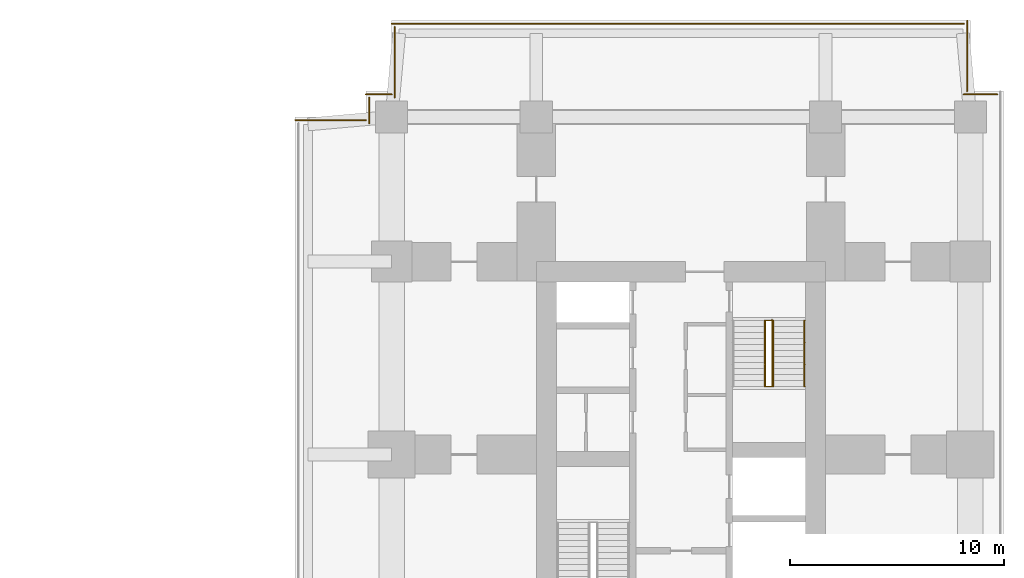
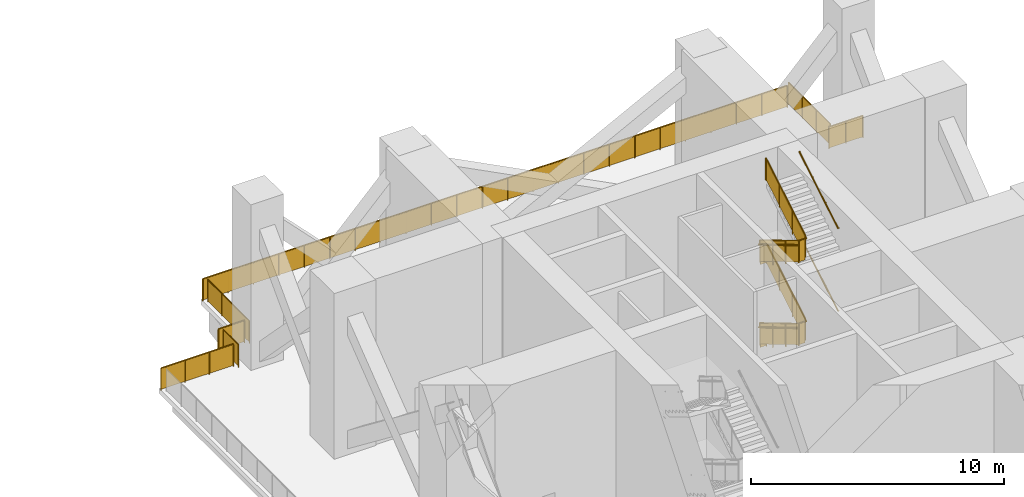
# One storey, part 11 of 11: 14 railings.
"""IFC4 building model written with IfcOpenShell, lengths in metres."""

from ifc_helpers import new_model, si_unit, direction, frame, origin, origin_2d, place, context, subcontext, project, spatial, polyline, circle, outline, extrude, material, type_object, element, save


model = new_model("IFC4")

# Units and contexts
model_context = context("Model", 3, precision=1e-05, world=origin(), true_north=direction((0.0, 1.0)))
body_context = subcontext(model_context, "Body", "Model", "MODEL_VIEW")
ifc_project = project(units=[si_unit("LENGTHUNIT", "METRE"), si_unit("AREAUNIT", "SQUARE_METRE"), si_unit("VOLUMEUNIT", "CUBIC_METRE"), si_unit("PLANEANGLEUNIT", "RADIAN"), si_unit("MASSUNIT", "GRAM", prefix="KILO")], contexts=[model_context])

# Site, building, storey
site_placement = place(None, origin())
site = spatial("IfcSite", under=ifc_project, at=site_placement, CompositionType="ELEMENT")
building_placement = place(site_placement, origin())
building = spatial("IfcBuilding", under=site, at=building_placement, Name="Namib Vertical Campus", CompositionType="ELEMENT")
storey_placement = place(building_placement, frame((0.0, 0.0, 169.0)))
storey = spatial("IfcBuildingStorey", under=building, at=storey_placement, Name="L40", CompositionType="ELEMENT", Elevation=169.0)

# Railings
ifc_material_1 = material(Name="Toughened glass balustrade", Category="glass")
railing_type_1 = type_object("IfcRailingType", Name="Edge guard 1100", PredefinedType="GUARDRAIL", material=ifc_material_1)
railing_1_placement = place(storey_placement, frame((95.75, 37.050048828125, 0.0)))
element("IfcRailing", 1, at=railing_1_placement, inside=storey, type_object=railing_type_1, Name="Refuge edge guard GR2 B L40 5", PredefinedType="GUARDRAIL", context=body_context, shape_type="SweptSolid", body=[
    extrude(circle(Radius=0.02392578125, at=origin_2d()), frame((0.0, 0.0, 1.076171875), z_axis=(-1.0, 0.0, 0.0), x_axis=(0.0, -1.0, 0.0)), (0.0, 0.0, 1.0), 1.550048828125),
    extrude(outline(polyline([(0.02099609375, 0.050048828125), (1.529052734375, 0.050048828125), (1.529052734375, 1.052001953125), (0.02099609375, 1.052001953125), (0.02099609375, 0.050048828125)])), frame((0.0, -0.0107421875, 0.0), z_axis=(0.0, 1.0, 0.0), x_axis=(-1.0, 0.0, 0.0)), (0.0, 0.0, 1.0), 0.021484375),
    extrude(circle(Radius=0.02099609375, at=origin_2d()), origin(), (0.0, 0.0, 1.0), 1.052001953125),
    extrude(circle(Radius=0.02099609375, at=origin_2d()), frame((-0.77490234375, 0.0, 0.0)), (0.0, 0.0, 1.0), 1.052001953125),
    extrude(circle(Radius=0.02099609375, at=origin_2d()), frame((-1.550048828125, 0.0, 0.0)), (0.0, 0.0, 1.0), 1.052001953125),
])
railing_2_placement = place(storey_placement, frame((94.35009765625, 37.199951171875, 0.0)))
element("IfcRailing", 2, at=railing_2_placement, inside=storey, type_object=railing_type_1, Name="Refuge edge guard GR2 B L40 6", PredefinedType="GUARDRAIL", context=body_context, shape_type="SweptSolid", body=[
    extrude(circle(Radius=0.02392578125, at=origin_2d()), frame((0.0, 0.0, 1.076171875), z_axis=(0.0, 1.0, 0.0), x_axis=(-1.0, 0.0, 0.0)), (0.0, 0.0, 1.0), 3.300048828125),
    extrude(outline(polyline([(0.02099609375, 0.050048828125), (3.279052734375, 0.050048828125), (3.279052734375, 1.052001953125), (0.02099609375, 1.052001953125), (0.02099609375, 0.050048828125)])), frame((-0.0107421875, 0.0, 0.0), z_axis=(1.0, 0.0, 0.0), x_axis=(0.0, 1.0, 0.0)), (0.0, 0.0, 1.0), 0.021484375),
    extrude(circle(Radius=0.02099609375, at=origin_2d()), origin(), (0.0, 0.0, 1.0), 1.052001953125),
    extrude(circle(Radius=0.02099609375, at=origin_2d()), frame((0.0, 1.10009765625, 0.0)), (0.0, 0.0, 1.0), 1.052001953125),
    extrude(circle(Radius=0.02099609375, at=origin_2d()), frame((0.0, 2.199951171875, 0.0)), (0.0, 0.0, 1.0), 1.052001953125),
    extrude(circle(Radius=0.02099609375, at=origin_2d()), frame((0.0, 3.300048828125, 0.0)), (0.0, 0.0, 1.0), 1.052001953125),
])
railing_3_placement = place(storey_placement, frame((94.199951171875, 40.35009765625, 0.0)))
element("IfcRailing", 3, at=railing_3_placement, inside=storey, type_object=railing_type_1, Name="Refuge edge guard GR2 B L40 7", PredefinedType="GUARDRAIL", context=body_context, shape_type="SweptSolid", body=[
    extrude(circle(Radius=0.02392578125, at=origin_2d()), frame((0.0, 0.0, 1.076171875), z_axis=(-1.0, 0.0, 0.0), x_axis=(0.0, -1.0, 0.0)), (0.0, 0.0, 1.0), 26.699951171875),
    extrude(outline(polyline([(0.02099609375, 0.050048828125), (26.678955078125, 0.050048828125), (26.678955078125, 1.052001953125), (0.02099609375, 1.052001953125), (0.02099609375, 0.050048828125)])), frame((0.0, -0.0107421875, 0.0), z_axis=(0.0, 1.0, 0.0), x_axis=(-1.0, 0.0, 0.0)), (0.0, 0.0, 1.0), 0.021484375),
    extrude(circle(Radius=0.02099609375, at=origin_2d()), origin(), (0.0, 0.0, 1.0), 1.052001953125),
    extrude(circle(Radius=0.02099609375, at=origin_2d()), frame((-1.160888671875, 0.0, 0.0)), (0.0, 0.0, 1.0), 1.052001953125),
    extrude(circle(Radius=0.02099609375, at=origin_2d()), frame((-2.32177734375, 0.0, 0.0)), (0.0, 0.0, 1.0), 1.052001953125),
    extrude(circle(Radius=0.02099609375, at=origin_2d()), frame((-3.482666015625, 0.0, 0.0)), (0.0, 0.0, 1.0), 1.052001953125),
    extrude(circle(Radius=0.02099609375, at=origin_2d()), frame((-4.6435546875, 0.0, 0.0)), (0.0, 0.0, 1.0), 1.052001953125),
    extrude(circle(Radius=0.02099609375, at=origin_2d()), frame((-5.804443359375, 0.0, 0.0)), (0.0, 0.0, 1.0), 1.052001953125),
    extrude(circle(Radius=0.02099609375, at=origin_2d()), frame((-6.965087890625, 0.0, 0.0)), (0.0, 0.0, 1.0), 1.052001953125),
    extrude(circle(Radius=0.02099609375, at=origin_2d()), frame((-8.1259765625, 0.0, 0.0)), (0.0, 0.0, 1.0), 1.052001953125),
    extrude(circle(Radius=0.02099609375, at=origin_2d()), frame((-9.286865234375, 0.0, 0.0)), (0.0, 0.0, 1.0), 1.052001953125),
    extrude(circle(Radius=0.02099609375, at=origin_2d()), frame((-10.44775390625, 0.0, 0.0)), (0.0, 0.0, 1.0), 1.052001953125),
    extrude(circle(Radius=0.02099609375, at=origin_2d()), frame((-11.608642578125, 0.0, 0.0)), (0.0, 0.0, 1.0), 1.052001953125),
    extrude(circle(Radius=0.02099609375, at=origin_2d()), frame((-12.76953125, 0.0, 0.0)), (0.0, 0.0, 1.0), 1.052001953125),
    extrude(circle(Radius=0.02099609375, at=origin_2d()), frame((-13.930419921875, 0.0, 0.0)), (0.0, 0.0, 1.0), 1.052001953125),
    extrude(circle(Radius=0.02099609375, at=origin_2d()), frame((-15.09130859375, 0.0, 0.0)), (0.0, 0.0, 1.0), 1.052001953125),
    extrude(circle(Radius=0.02099609375, at=origin_2d()), frame((-16.252197265625, 0.0, 0.0)), (0.0, 0.0, 1.0), 1.052001953125),
    extrude(circle(Radius=0.02099609375, at=origin_2d()), frame((-17.4130859375, 0.0, 0.0)), (0.0, 0.0, 1.0), 1.052001953125),
    extrude(circle(Radius=0.02099609375, at=origin_2d()), frame((-18.573974609375, 0.0, 0.0)), (0.0, 0.0, 1.0), 1.052001953125),
    extrude(circle(Radius=0.02099609375, at=origin_2d()), frame((-19.73486328125, 0.0, 0.0)), (0.0, 0.0, 1.0), 1.052001953125),
    extrude(circle(Radius=0.02099609375, at=origin_2d()), frame((-20.8955078125, 0.0, 0.0)), (0.0, 0.0, 1.0), 1.052001953125),
    extrude(circle(Radius=0.02099609375, at=origin_2d()), frame((-22.056396484375, 0.0, 0.0)), (0.0, 0.0, 1.0), 1.052001953125),
    extrude(circle(Radius=0.02099609375, at=origin_2d()), frame((-23.21728515625, 0.0, 0.0)), (0.0, 0.0, 1.0), 1.052001953125),
    extrude(circle(Radius=0.02099609375, at=origin_2d()), frame((-24.378173828125, 0.0, 0.0)), (0.0, 0.0, 1.0), 1.052001953125),
    extrude(circle(Radius=0.02099609375, at=origin_2d()), frame((-25.5390625, 0.0, 0.0)), (0.0, 0.0, 1.0), 1.052001953125),
    extrude(circle(Radius=0.02099609375, at=origin_2d()), frame((-26.699951171875, 0.0, 0.0)), (0.0, 0.0, 1.0), 1.052001953125),
])
railing_4_placement = place(storey_placement, frame((67.64990234375, 40.199951171875, 0.0)))
element("IfcRailing", 4, at=railing_4_placement, inside=storey, type_object=railing_type_1, Name="Refuge edge guard GR2 B L40 8", PredefinedType="GUARDRAIL", context=body_context, shape_type="SweptSolid", body=[
    extrude(circle(Radius=0.02392578125, at=origin_2d()), frame((0.0, 0.0, 1.076171875), z_axis=(0.0, -1.0, 0.0), x_axis=(1.0, 0.0, 0.0)), (0.0, 0.0, 1.0), 3.300048828125),
    extrude(outline(polyline([(0.02099609375, 0.050048828125), (3.279052734375, 0.050048828125), (3.279052734375, 1.052001953125), (0.02099609375, 1.052001953125), (0.02099609375, 0.050048828125)])), frame((0.0107421875, 0.0, 0.0), z_axis=(-1.0, 0.0, 0.0), x_axis=(0.0, -1.0, 0.0)), (0.0, 0.0, 1.0), 0.021484375),
    extrude(circle(Radius=0.02099609375, at=origin_2d()), origin(), (0.0, 0.0, 1.0), 1.052001953125),
    extrude(circle(Radius=0.02099609375, at=origin_2d()), frame((0.0, -1.10009765625, 0.0)), (0.0, 0.0, 1.0), 1.052001953125),
    extrude(circle(Radius=0.02099609375, at=origin_2d()), frame((0.0, -2.199951171875, 0.0)), (0.0, 0.0, 1.0), 1.052001953125),
    extrude(circle(Radius=0.02099609375, at=origin_2d()), frame((0.0, -3.300048828125, 0.0)), (0.0, 0.0, 1.0), 1.052001953125),
])
railing_5_placement = place(storey_placement, frame((67.5, 37.050048828125, 0.0)))
element("IfcRailing", 5, at=railing_5_placement, inside=storey, type_object=railing_type_1, Name="Refuge edge guard GR2 B L40 9", PredefinedType="GUARDRAIL", context=body_context, shape_type="SweptSolid", body=[
    extrude(circle(Radius=0.02392578125, at=origin_2d()), frame((0.0, 0.0, 1.076171875), z_axis=(-1.0, 0.0, 0.0), x_axis=(0.0, -1.0, 0.0)), (0.0, 0.0, 1.0), 1.199951171875),
    extrude(outline(polyline([(0.02099609375, 0.050048828125), (1.178955078125, 0.050048828125), (1.178955078125, 1.052001953125), (0.02099609375, 1.052001953125), (0.02099609375, 0.050048828125)])), frame((0.0, -0.0107421875, 0.0), z_axis=(0.0, 1.0, 0.0), x_axis=(-1.0, 0.0, 0.0)), (0.0, 0.0, 1.0), 0.021484375),
    extrude(circle(Radius=0.02099609375, at=origin_2d()), origin(), (0.0, 0.0, 1.0), 1.052001953125),
    extrude(circle(Radius=0.02099609375, at=origin_2d()), frame((-1.199951171875, 0.0, 0.0)), (0.0, 0.0, 1.0), 1.052001953125),
])
railing_6_placement = place(storey_placement, frame((66.449951171875, 36.89990234375, 0.0)))
element("IfcRailing", 6, at=railing_6_placement, inside=storey, type_object=railing_type_1, Name="Refuge edge guard GR2 B L40 10", PredefinedType="GUARDRAIL", context=body_context, shape_type="SweptSolid", body=[
    extrude(circle(Radius=0.02392578125, at=origin_2d()), frame((0.0, 0.0, 1.076171875), z_axis=(0.0, -1.0, 0.0), x_axis=(1.0, 0.0, 0.0)), (0.0, 0.0, 1.0), 1.199951171875),
    extrude(outline(polyline([(0.02099609375, 0.050048828125), (1.178955078125, 0.050048828125), (1.178955078125, 1.052001953125), (0.02099609375, 1.052001953125), (0.02099609375, 0.050048828125)])), frame((0.0107421875, 0.0, 0.0), z_axis=(-1.0, 0.0, 0.0), x_axis=(0.0, -1.0, 0.0)), (0.0, 0.0, 1.0), 0.021484375),
    extrude(circle(Radius=0.02099609375, at=origin_2d()), origin(), (0.0, 0.0, 1.0), 1.052001953125),
    extrude(circle(Radius=0.02099609375, at=origin_2d()), frame((0.0, -1.199951171875, 0.0)), (0.0, 0.0, 1.0), 1.052001953125),
])
railing_7_placement = place(storey_placement, frame((66.300048828125, 35.85009765625, 0.0)))
element("IfcRailing", 7, at=railing_7_placement, inside=storey, type_object=railing_type_1, Name="Refuge edge guard GR2 B L40 11", PredefinedType="GUARDRAIL", context=body_context, shape_type="SweptSolid", body=[
    extrude(circle(Radius=0.02392578125, at=origin_2d()), frame((0.0, 0.0, 1.076171875), z_axis=(-1.0, 0.0, 0.0), x_axis=(0.0, -1.0, 0.0)), (0.0, 0.0, 1.0), 3.300048828125),
    extrude(outline(polyline([(0.02099609375, 0.050048828125), (3.279052734375, 0.050048828125), (3.279052734375, 1.052001953125), (0.02099609375, 1.052001953125), (0.02099609375, 0.050048828125)])), frame((0.0, -0.0107421875, 0.0), z_axis=(0.0, 1.0, 0.0), x_axis=(-1.0, 0.0, 0.0)), (0.0, 0.0, 1.0), 0.021484375),
    extrude(circle(Radius=0.02099609375, at=origin_2d()), origin(), (0.0, 0.0, 1.0), 1.052001953125),
    extrude(circle(Radius=0.02099609375, at=origin_2d()), frame((-1.10009765625, 0.0, 0.0)), (0.0, 0.0, 1.0), 1.052001953125),
    extrude(circle(Radius=0.02099609375, at=origin_2d()), frame((-2.199951171875, 0.0, 0.0)), (0.0, 0.0, 1.0), 1.052001953125),
    extrude(circle(Radius=0.02099609375, at=origin_2d()), frame((-3.300048828125, 0.0, 0.0)), (0.0, 0.0, 1.0), 1.052001953125),
])
ifc_material_2 = material(Name="Steel handrail", Category="steel")
railing_type_2 = type_object("IfcRailingType", Name="Handrail 900", PredefinedType="HANDRAIL", material=ifc_material_2)
for number, where, name in (
    (8, (86.75, 23.419921875, 2.166748046875), "Handrail HR1 B-S2 L40 2"),
    (9, (86.75, 23.419921875, 6.166748046875), "Handrail HR1 B-S2 L40 4"),
):
    element("IfcRailing", number, at=place(storey_placement, frame(where)), inside=storey, type_object=railing_type_2, Name=name, PredefinedType="HANDRAIL", context=body_context, shape_type="SweptSolid", body=[
        extrude(circle(Radius=0.02392578125, at=origin_2d()), frame((0.0, 0.0, 0.8759765625), z_axis=(0.0, 0.859308565015, 0.511457515432), x_axis=(-1.0, 0.0, 0.0)), (0.0, 0.0, 1.0), 3.58447265625),
        extrude(circle(Radius=0.008056640625, at=origin_2d()), frame((0.0, 0.0, 0.8759765625), z_axis=(1.0, 0.0, 0.0), x_axis=(0.0, 0.0, 1.0)), (0.0, 0.0, 1.0), 0.050048828125),
        extrude(circle(Radius=0.008056640625, at=origin_2d()), frame((0.0, 1.026611328125, 1.48681640625), z_axis=(1.0, 0.0, 0.0), x_axis=(0.0, 0.0, 1.0)), (0.0, 0.0, 1.0), 0.050048828125),
        extrude(circle(Radius=0.008056640625, at=origin_2d()), frame((0.0, 2.053466796875, 2.09814453125), z_axis=(1.0, 0.0, 0.0), x_axis=(0.0, 0.0, 1.0)), (0.0, 0.0, 1.0), 0.050048828125),
        extrude(circle(Radius=0.008056640625, at=origin_2d()), frame((0.0, 3.080078125, 2.708984375), z_axis=(1.0, 0.0, 0.0), x_axis=(0.0, 0.0, 1.0)), (0.0, 0.0, 1.0), 0.050048828125),
    ])
railing_8_placement = place(storey_placement, frame((84.89990234375, 26.5, 0.166748046875)))
element("IfcRailing", 10, at=railing_8_placement, inside=storey, type_object=railing_type_2, Name="Handrail HR1 B-S2 L40 1 at the well", PredefinedType="HANDRAIL", context=body_context, shape_type="SweptSolid", body=[
    extrude(circle(Radius=0.02392578125, at=origin_2d()), frame((0.0, 0.0, 0.8759765625), z_axis=(0.0, -0.859308565015, 0.511457515432), x_axis=(1.0, 0.0, 0.0)), (0.0, 0.0, 1.0), 3.58447265625),
    extrude(circle(Radius=0.008056640625, at=origin_2d()), frame((0.0, 0.0, 0.8759765625), z_axis=(1.0, 0.0, 0.0), x_axis=(0.0, 0.0, 1.0)), (0.0, 0.0, 1.0), 0.0400390625),
    extrude(circle(Radius=0.008056640625, at=origin_2d()), frame((0.0, -1.026611328125, 1.48681640625), z_axis=(1.0, 0.0, 0.0), x_axis=(0.0, 0.0, 1.0)), (0.0, 0.0, 1.0), 0.0400390625),
    extrude(circle(Radius=0.008056640625, at=origin_2d()), frame((0.0, -2.053466796875, 2.09814453125), z_axis=(1.0, 0.0, 0.0), x_axis=(0.0, 0.0, 1.0)), (0.0, 0.0, 1.0), 0.0400390625),
    extrude(circle(Radius=0.008056640625, at=origin_2d()), frame((0.0, -3.080078125, 2.708984375), z_axis=(1.0, 0.0, 0.0), x_axis=(0.0, 0.0, 1.0)), (0.0, 0.0, 1.0), 0.0400390625),
])
railing_9_placement = place(storey_placement, frame((85.300048828125, 23.419921875, 2.166748046875)))
element("IfcRailing", 11, at=railing_9_placement, inside=storey, type_object=railing_type_2, Name="Handrail HR1 B-S2 L40 2 at the well", PredefinedType="HANDRAIL", context=body_context, shape_type="SweptSolid", body=[
    extrude(circle(Radius=0.02392578125, at=origin_2d()), frame((0.0, 0.0, 0.8759765625), z_axis=(0.0, 0.859308565015, 0.511457515432), x_axis=(-1.0, 0.0, 0.0)), (0.0, 0.0, 1.0), 3.58447265625),
    extrude(circle(Radius=0.008056640625, at=origin_2d()), frame((0.0, 0.0, 0.8759765625), z_axis=(-1.0, 0.0, 0.0), x_axis=(0.0, 0.0, 1.0)), (0.0, 0.0, 1.0), 0.0400390625),
    extrude(circle(Radius=0.008056640625, at=origin_2d()), frame((0.0, 1.026611328125, 1.48681640625), z_axis=(-1.0, 0.0, 0.0), x_axis=(0.0, 0.0, 1.0)), (0.0, 0.0, 1.0), 0.0400390625),
    extrude(circle(Radius=0.008056640625, at=origin_2d()), frame((0.0, 2.053466796875, 2.09814453125), z_axis=(-1.0, 0.0, 0.0), x_axis=(0.0, 0.0, 1.0)), (0.0, 0.0, 1.0), 0.0400390625),
    extrude(circle(Radius=0.008056640625, at=origin_2d()), frame((0.0, 3.080078125, 2.708984375), z_axis=(-1.0, 0.0, 0.0), x_axis=(0.0, 0.0, 1.0)), (0.0, 0.0, 1.0), 0.0400390625),
])
railing_10_placement = place(storey_placement, frame((84.89990234375, 26.5, 4.166748046875)))
element("IfcRailing", 12, at=railing_10_placement, inside=storey, type_object=railing_type_2, Name="Handrail HR1 B-S2 L40 3 at the well", PredefinedType="HANDRAIL", context=body_context, shape_type="SweptSolid", body=[
    extrude(circle(Radius=0.02392578125, at=origin_2d()), frame((0.0, 0.0, 0.8759765625), z_axis=(0.0, -0.859308565015, 0.511457515432), x_axis=(1.0, 0.0, 0.0)), (0.0, 0.0, 1.0), 3.58447265625),
    extrude(circle(Radius=0.008056640625, at=origin_2d()), frame((0.0, 0.0, 0.8759765625), z_axis=(1.0, 0.0, 0.0), x_axis=(0.0, 0.0, 1.0)), (0.0, 0.0, 1.0), 0.0400390625),
    extrude(circle(Radius=0.008056640625, at=origin_2d()), frame((0.0, -1.026611328125, 1.48681640625), z_axis=(1.0, 0.0, 0.0), x_axis=(0.0, 0.0, 1.0)), (0.0, 0.0, 1.0), 0.0400390625),
    extrude(circle(Radius=0.008056640625, at=origin_2d()), frame((0.0, -2.053466796875, 2.09814453125), z_axis=(1.0, 0.0, 0.0), x_axis=(0.0, 0.0, 1.0)), (0.0, 0.0, 1.0), 0.0400390625),
    extrude(circle(Radius=0.008056640625, at=origin_2d()), frame((0.0, -3.080078125, 2.708984375), z_axis=(1.0, 0.0, 0.0), x_axis=(0.0, 0.0, 1.0)), (0.0, 0.0, 1.0), 0.0400390625),
])
railing_11_placement = place(storey_placement, frame((85.300048828125, 23.419921875, 6.166748046875)))
element("IfcRailing", 13, at=railing_11_placement, inside=storey, type_object=railing_type_2, Name="Handrail HR1 B-S2 L40 4 at the well", PredefinedType="HANDRAIL", context=body_context, shape_type="SweptSolid", body=[
    extrude(circle(Radius=0.02392578125, at=origin_2d()), frame((0.0, 0.0, 0.8759765625), z_axis=(0.0, 0.859308565015, 0.511457515432), x_axis=(-1.0, 0.0, 0.0)), (0.0, 0.0, 1.0), 3.58447265625),
    extrude(circle(Radius=0.008056640625, at=origin_2d()), frame((0.0, 0.0, 0.8759765625), z_axis=(-1.0, 0.0, 0.0), x_axis=(0.0, 0.0, 1.0)), (0.0, 0.0, 1.0), 0.0400390625),
    extrude(circle(Radius=0.008056640625, at=origin_2d()), frame((0.0, 1.026611328125, 1.48681640625), z_axis=(-1.0, 0.0, 0.0), x_axis=(0.0, 0.0, 1.0)), (0.0, 0.0, 1.0), 0.0400390625),
    extrude(circle(Radius=0.008056640625, at=origin_2d()), frame((0.0, 2.053466796875, 2.09814453125), z_axis=(-1.0, 0.0, 0.0), x_axis=(0.0, 0.0, 1.0)), (0.0, 0.0, 1.0), 0.0400390625),
    extrude(circle(Radius=0.008056640625, at=origin_2d()), frame((0.0, 3.080078125, 2.708984375), z_axis=(-1.0, 0.0, 0.0), x_axis=(0.0, 0.0, 1.0)), (0.0, 0.0, 1.0), 0.0400390625),
])
ifc_material_3 = material(Name="Steel balustrade", Category="steel")
railing_type_3 = type_object("IfcRailingType", Name="Stair guard 1100", PredefinedType="GUARDRAIL", material=ifc_material_3)
railing_12_placement = place(storey_placement, frame((85.25, 26.5, 0.0)))
element("IfcRailing", 14, at=railing_12_placement, inside=storey, type_object=railing_type_3, Name="Stair guard GR1 B-S2 L40", PredefinedType="GUARDRAIL", context=body_context, shape_type="SweptSolid", body=[
    extrude(circle(Radius=0.02392578125, at=origin_2d()), frame((0.0, 0.0, 1.076171875), z_axis=(-1.0, 0.0, 0.0), x_axis=(0.0, -1.0, 0.0)), (0.0, 0.0, 1.0), 0.300048828125),
    extrude(outline(polyline([(0.02099609375, 0.050048828125), (0.279052734375, 0.050048828125), (0.279052734375, 1.052001953125), (0.02099609375, 1.052001953125), (0.02099609375, 0.050048828125)])), frame((0.0, -0.010009765625, 0.0), z_axis=(0.0, 1.0, 0.0), x_axis=(-1.0, 0.0, 0.0)), (0.0, 0.0, 1.0), 0.02001953125),
    extrude(circle(Radius=0.02392578125, at=origin_2d()), frame((-0.300048828125, 0.0, 1.076171875), z_axis=(0.0, 0.0, 1.0), x_axis=(1.0, 0.0, 0.0)), (0.0, 0.0, 1.0), 0.166748046875),
    extrude(circle(Radius=0.02392578125, at=origin_2d()), frame((-0.300048828125, 0.0, 1.24267578125), z_axis=(0.0, -0.859308565015, 0.511457515432), x_axis=(1.0, 0.0, 0.0)), (0.0, 0.0, 1.0), 3.58447265625),
    extrude(outline(polyline([(0.02099609375, 0.0625), (3.05908203125, 1.870849609375), (3.05908203125, 2.872802734375), (0.02099609375, 1.064453125), (0.02099609375, 0.0625)])), frame((-0.2900390625, 0.0, 0.166748046875), z_axis=(-1.0, 0.0, 0.0), x_axis=(0.0, -1.0, 0.0)), (0.0, 0.0, 1.0), 0.02001953125),
    extrude(circle(Radius=0.02392578125, at=origin_2d()), frame((-0.300048828125, -3.080078125, 3.076171875), z_axis=(1.0, 0.0, 0.0), x_axis=(0.0, 1.0, 0.0)), (0.0, 0.0, 1.0), 0.300048828125),
    extrude(outline(polyline([(0.02099609375, 0.050048828125), (0.279052734375, 0.050048828125), (0.279052734375, 1.052001953125), (0.02099609375, 1.052001953125), (0.02099609375, 0.050048828125)])), frame((-0.300048828125, -3.070068359375, 2.0), z_axis=(0.0, -1.0, 0.0), x_axis=(1.0, 0.0, 0.0)), (0.0, 0.0, 1.0), 0.02001953125),
    extrude(circle(Radius=0.02392578125, at=origin_2d()), frame((0.0, -3.080078125, 3.076171875), z_axis=(0.0, 0.0, 1.0), x_axis=(1.0, 0.0, 0.0)), (0.0, 0.0, 1.0), 0.166748046875),
    extrude(circle(Radius=0.02392578125, at=origin_2d()), frame((0.0, -3.080078125, 3.24267578125), z_axis=(0.0, 0.859308565015, 0.511457515432), x_axis=(-1.0, 0.0, 0.0)), (0.0, 0.0, 1.0), 3.58447265625),
    extrude(outline(polyline([(0.02099609375, 0.0625), (3.05908203125, 1.870849609375), (3.05908203125, 2.872802734375), (0.02099609375, 1.064453125), (0.02099609375, 0.0625)])), frame((-0.010009765625, -3.080078125, 2.166748046875), z_axis=(1.0, 0.0, 0.0), x_axis=(0.0, 1.0, 0.0)), (0.0, 0.0, 1.0), 0.02001953125),
    extrude(circle(Radius=0.02392578125, at=origin_2d()), frame((0.0, 0.0, 5.076171875), z_axis=(-1.0, 0.0, 0.0), x_axis=(0.0, -1.0, 0.0)), (0.0, 0.0, 1.0), 0.300048828125),
    extrude(outline(polyline([(0.02099609375, 0.050048828125), (0.279052734375, 0.050048828125), (0.279052734375, 1.052001953125), (0.02099609375, 1.052001953125), (0.02099609375, 0.050048828125)])), frame((0.0, -0.010009765625, 4.0), z_axis=(0.0, 1.0, 0.0), x_axis=(-1.0, 0.0, 0.0)), (0.0, 0.0, 1.0), 0.02001953125),
    extrude(circle(Radius=0.02392578125, at=origin_2d()), frame((-0.300048828125, 0.0, 5.076171875), z_axis=(0.0, 0.0, 1.0), x_axis=(1.0, 0.0, 0.0)), (0.0, 0.0, 1.0), 0.166748046875),
    extrude(circle(Radius=0.02392578125, at=origin_2d()), frame((-0.300048828125, 0.0, 5.24267578125), z_axis=(0.0, -0.859308565015, 0.511457515432), x_axis=(1.0, 0.0, 0.0)), (0.0, 0.0, 1.0), 3.58447265625),
    extrude(outline(polyline([(0.02099609375, 0.0625), (3.05908203125, 1.870849609375), (3.05908203125, 2.872802734375), (0.02099609375, 1.064453125), (0.02099609375, 0.0625)])), frame((-0.2900390625, 0.0, 4.166748046875), z_axis=(-1.0, 0.0, 0.0), x_axis=(0.0, -1.0, 0.0)), (0.0, 0.0, 1.0), 0.02001953125),
    extrude(circle(Radius=0.02392578125, at=origin_2d()), frame((-0.300048828125, -3.080078125, 7.076171875), z_axis=(1.0, 0.0, 0.0), x_axis=(0.0, 1.0, 0.0)), (0.0, 0.0, 1.0), 0.300048828125),
    extrude(outline(polyline([(0.02099609375, 0.050048828125), (0.279052734375, 0.050048828125), (0.279052734375, 1.052001953125), (0.02099609375, 1.052001953125), (0.02099609375, 0.050048828125)])), frame((-0.300048828125, -3.070068359375, 6.0), z_axis=(0.0, -1.0, 0.0), x_axis=(1.0, 0.0, 0.0)), (0.0, 0.0, 1.0), 0.02001953125),
    extrude(circle(Radius=0.02392578125, at=origin_2d()), frame((0.0, -3.080078125, 7.076171875), z_axis=(0.0, 0.0, 1.0), x_axis=(1.0, 0.0, 0.0)), (0.0, 0.0, 1.0), 0.166748046875),
    extrude(circle(Radius=0.02392578125, at=origin_2d()), frame((0.0, -3.080078125, 7.24267578125), z_axis=(0.0, 0.859308565015, 0.511457515432), x_axis=(-1.0, 0.0, 0.0)), (0.0, 0.0, 1.0), 3.58447265625),
    extrude(outline(polyline([(0.02099609375, 0.0625), (3.05908203125, 1.870849609375), (3.05908203125, 2.872802734375), (0.02099609375, 1.064453125), (0.02099609375, 0.0625)])), frame((-0.010009765625, -3.080078125, 6.166748046875), z_axis=(1.0, 0.0, 0.0), x_axis=(0.0, 1.0, 0.0)), (0.0, 0.0, 1.0), 0.02001953125),
    extrude(circle(Radius=0.02392578125, at=origin_2d()), frame((0.0, 0.0, 9.076171875), z_axis=(0.0, 1.0, 0.0), x_axis=(-1.0, 0.0, 0.0)), (0.0, 0.0, 1.0), 0.050048828125),
    extrude(outline(polyline([(0.02099609375, 0.050048828125), (0.029052734375, 0.050048828125), (0.029052734375, 1.052001953125), (0.02099609375, 1.052001953125), (0.02099609375, 0.050048828125)])), frame((-0.010009765625, 0.0, 8.0), z_axis=(1.0, 0.0, 0.0), x_axis=(0.0, 1.0, 0.0)), (0.0, 0.0, 1.0), 0.02001953125),
    extrude(circle(Radius=0.02099609375, at=origin_2d()), origin(), (0.0, 0.0, 1.0), 1.052001953125),
    extrude(circle(Radius=0.02099609375, at=origin_2d()), frame((-0.300048828125, 0.0, 0.166748046875)), (0.0, 0.0, 1.0), 1.052001953125),
    extrude(circle(Radius=0.02099609375, at=origin_2d()), frame((-0.300048828125, -1.026611328125, 0.666748046875)), (0.0, 0.0, 1.0), 1.1630859375),
    extrude(circle(Radius=0.02099609375, at=origin_2d()), frame((-0.300048828125, -2.053466796875, 1.33349609375)), (0.0, 0.0, 1.0), 1.107421875),
    extrude(circle(Radius=0.02099609375, at=origin_2d()), frame((-0.300048828125, -3.080078125, 2.0)), (0.0, 0.0, 1.0), 1.052001953125),
    extrude(circle(Radius=0.02099609375, at=origin_2d()), frame((0.0, -3.080078125, 2.166748046875)), (0.0, 0.0, 1.0), 1.052001953125),
    extrude(circle(Radius=0.02099609375, at=origin_2d()), frame((0.0, -2.053466796875, 2.666748046875)), (0.0, 0.0, 1.0), 1.1630859375),
    extrude(circle(Radius=0.02099609375, at=origin_2d()), frame((0.0, -1.026611328125, 3.33349609375)), (0.0, 0.0, 1.0), 1.107421875),
    extrude(circle(Radius=0.02099609375, at=origin_2d()), frame((0.0, 0.0, 4.0)), (0.0, 0.0, 1.0), 1.052001953125),
    extrude(circle(Radius=0.02099609375, at=origin_2d()), frame((-0.300048828125, 0.0, 4.166748046875)), (0.0, 0.0, 1.0), 1.052001953125),
    extrude(circle(Radius=0.02099609375, at=origin_2d()), frame((-0.300048828125, -1.026611328125, 4.666748046875)), (0.0, 0.0, 1.0), 1.1630859375),
    extrude(circle(Radius=0.02099609375, at=origin_2d()), frame((-0.300048828125, -2.053466796875, 5.33349609375)), (0.0, 0.0, 1.0), 1.107421875),
    extrude(circle(Radius=0.02099609375, at=origin_2d()), frame((-0.300048828125, -3.080078125, 6.0)), (0.0, 0.0, 1.0), 1.052001953125),
    extrude(circle(Radius=0.02099609375, at=origin_2d()), frame((0.0, -3.080078125, 6.166748046875)), (0.0, 0.0, 1.0), 1.052001953125),
    extrude(circle(Radius=0.02099609375, at=origin_2d()), frame((0.0, -2.053466796875, 6.666748046875)), (0.0, 0.0, 1.0), 1.1630859375),
    extrude(circle(Radius=0.02099609375, at=origin_2d()), frame((0.0, -1.026611328125, 7.33349609375)), (0.0, 0.0, 1.0), 1.107421875),
    extrude(circle(Radius=0.02099609375, at=origin_2d()), frame((0.0, 0.0, 8.0)), (0.0, 0.0, 1.0), 1.052001953125),
    extrude(circle(Radius=0.02099609375, at=origin_2d()), frame((0.0, 0.050048828125, 8.0)), (0.0, 0.0, 1.0), 1.052001953125),
])

save(model, "model.ifc")
